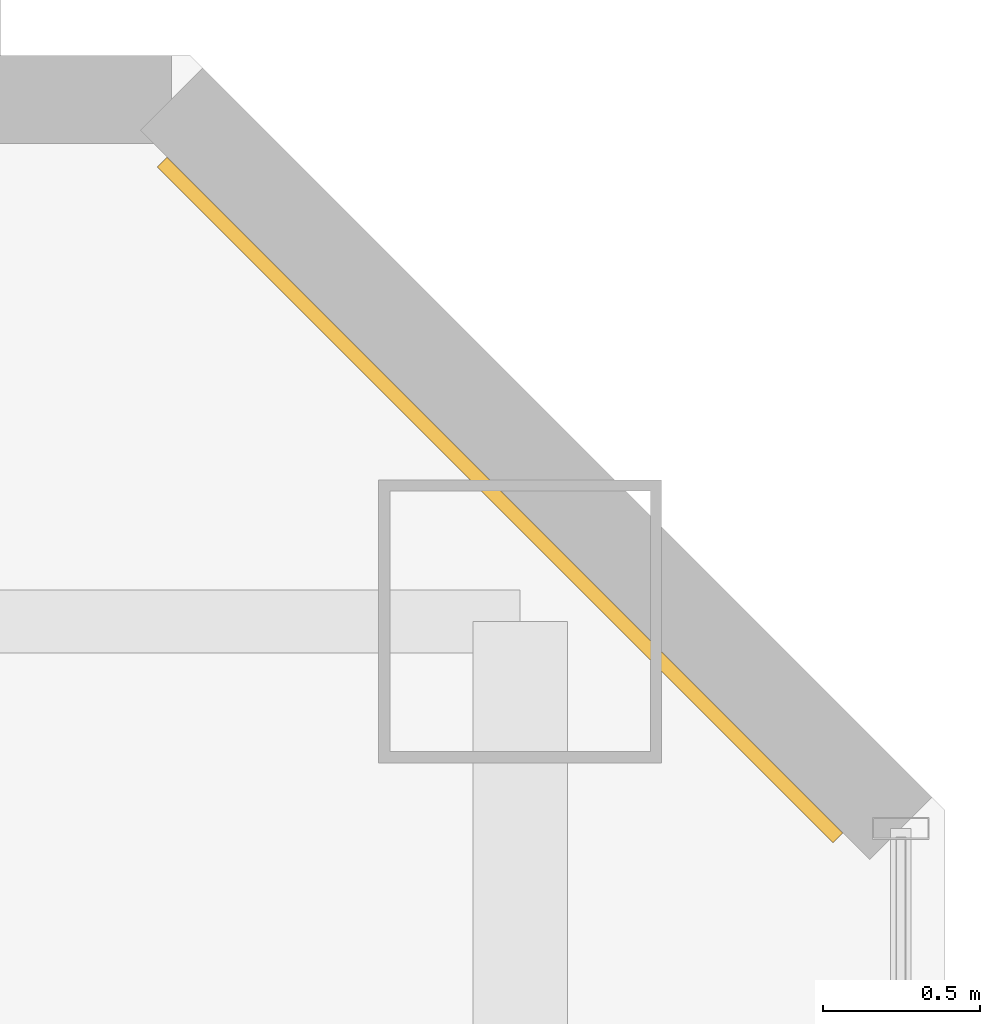
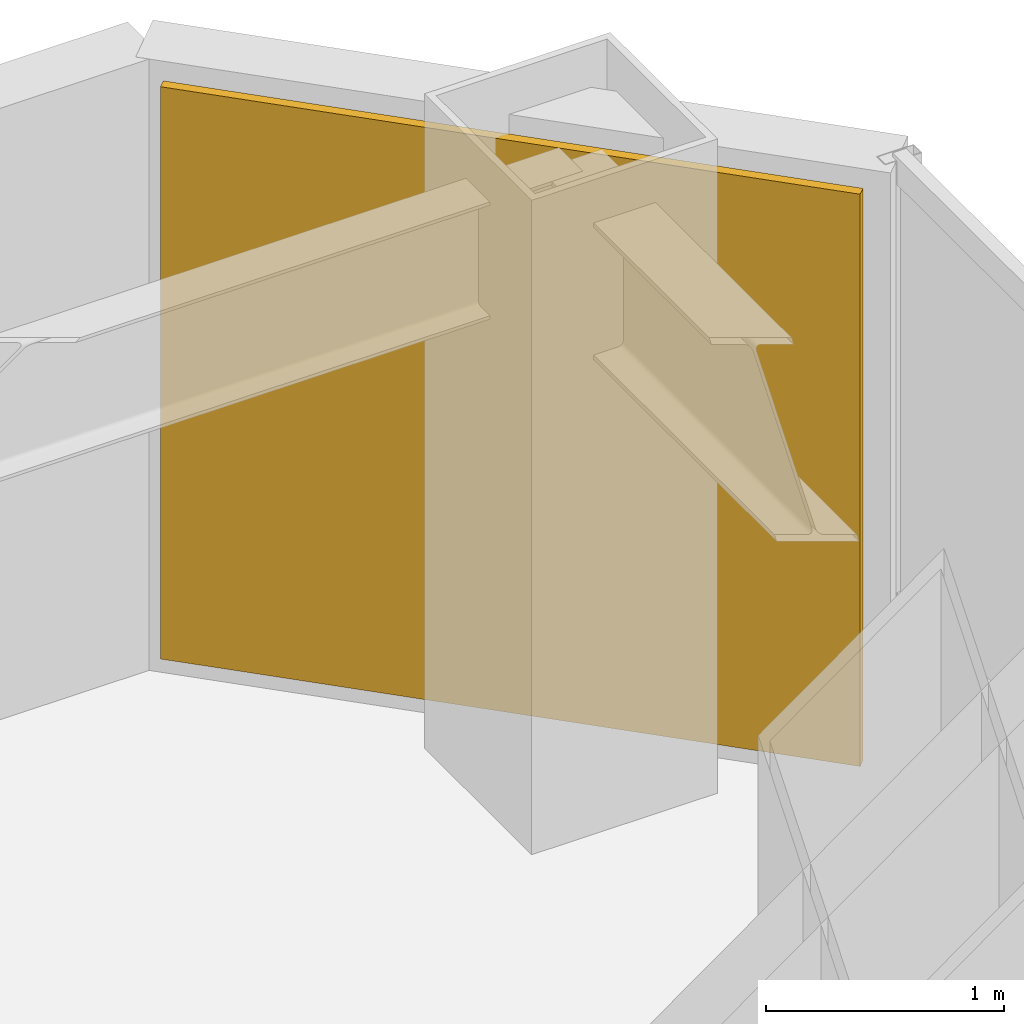
# One storey, part 36 of 36: 1 covering.
"""IFC4 building model written with IfcOpenShell, lengths in metres."""

from ifc_helpers import new_model, si_unit, direction, frame, origin, origin_2d, place, context, subcontext, project, spatial, rectangle, extrude, material, layer, layer_set, type_object, element, save


model = new_model("IFC4")

# Units and contexts
model_context = context("Model", 3, precision=1e-05, world=origin(), true_north=direction((0.0, 1.0)))
body_context = subcontext(model_context, "Body", "Model", "MODEL_VIEW")
ifc_project = project(units=[si_unit("LENGTHUNIT", "METRE"), si_unit("AREAUNIT", "SQUARE_METRE"), si_unit("VOLUMEUNIT", "CUBIC_METRE"), si_unit("PLANEANGLEUNIT", "RADIAN"), si_unit("MASSUNIT", "GRAM", prefix="KILO")], contexts=[model_context])

# Site, building, storey
site_placement = place(None, origin())
site = spatial("IfcSite", under=ifc_project, at=site_placement, CompositionType="ELEMENT")
building_placement = place(site_placement, origin())
building = spatial("IfcBuilding", under=site, at=building_placement, Name="Hatsunagi Terrace Concourse", CompositionType="ELEMENT")
storey_placement = place(building_placement, frame((0.0, 0.0, 84.64990234375)))
storey = spatial("IfcBuildingStorey", under=building, at=storey_placement, Name="L22", CompositionType="ELEMENT", Elevation=84.64990234375)

# Covering
ifc_material = material(Name="Unglazed Warm Terracotta Rainscreen Tile", Category="masonry")
ifc_layer = layer(ifc_material, 0.044921875)
ifc_layer_set = layer_set([ifc_layer], Name="TerracottaRainscreenCladding_45")
covering_type = type_object("IfcCoveringType", Name="TerracottaRainscreenCladding_45", PredefinedType="CLADDING", material=ifc_layer_set)
covering_placement = place(storey_placement, frame((43.5859375, 48.986083984375, 0.10009765625), z_axis=(0.0, 0.0, 1.0), x_axis=(0.707106781187, -0.707106781187, 0.0)))
element("IfcCovering", 1, at=covering_placement, inside=storey, type_object=covering_type, Name="Terracotta Rainscreen Cladding L22-12", PredefinedType="CLADDING", context=body_context, shape_type="SweptSolid", body=[
    extrude(rectangle(XDim=3.0380859375, YDim=0.044921875, at=origin_2d()), origin(), (0.0, 0.0, 1.0), 2.929931640625),
])

save(model, "model.ifc")
